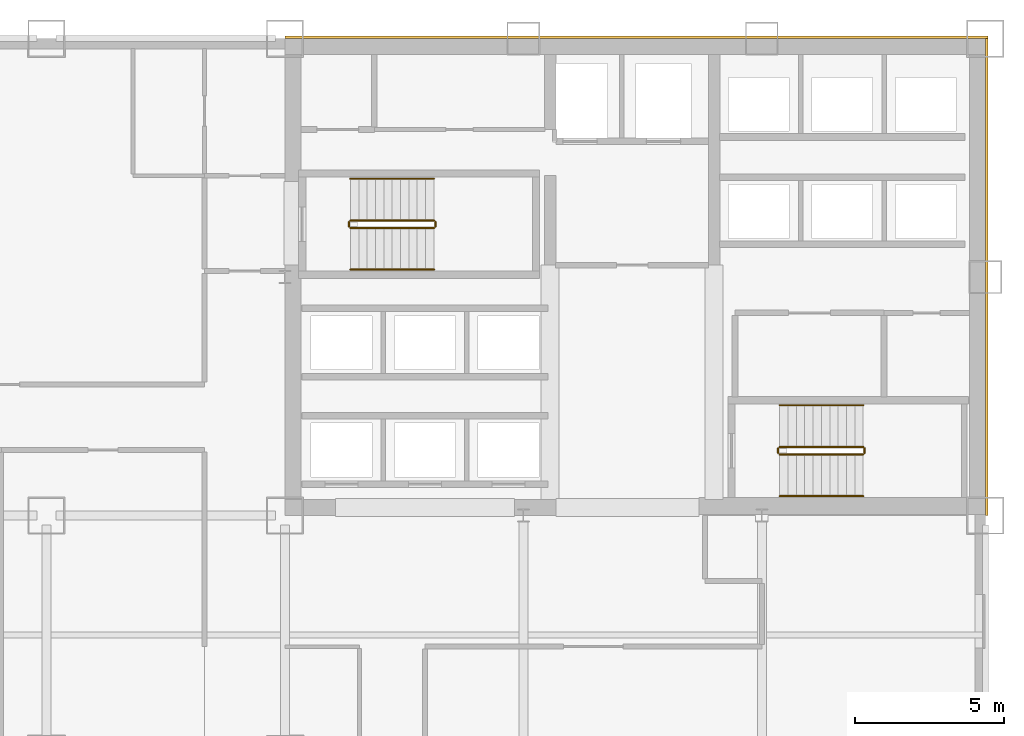
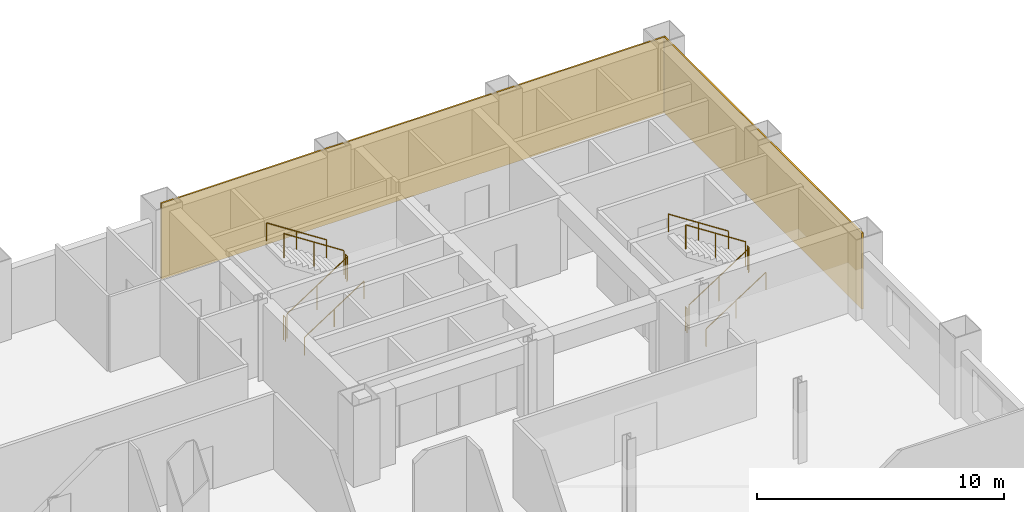
# One storey, part 9 of 9: 12 railings, 2 coverings.
"""IFC4 building model written with IfcOpenShell, lengths in metres."""

from ifc_helpers import new_model, si_unit, direction, frame, origin, origin_2d, place, context, subcontext, project, spatial, rectangle, circle, extrude, material, layer, layer_set, type_object, element, save


model = new_model("IFC4")

# Units and contexts
model_context = context("Model", 3, precision=1e-05, world=origin(), true_north=direction((0.0, 1.0)))
body_context = subcontext(model_context, "Body", "Model", "MODEL_VIEW")
ifc_project = project(units=[si_unit("LENGTHUNIT", "METRE"), si_unit("AREAUNIT", "SQUARE_METRE"), si_unit("VOLUMEUNIT", "CUBIC_METRE"), si_unit("PLANEANGLEUNIT", "RADIAN"), si_unit("MASSUNIT", "GRAM", prefix="KILO")], contexts=[model_context])

# Site, building, storey
site_placement = place(None, origin())
site = spatial("IfcSite", under=ifc_project, at=site_placement, CompositionType="ELEMENT")
building_placement = place(site_placement, origin())
building = spatial("IfcBuilding", under=site, at=building_placement, Name="Qianrong Seaharbour Tower", CompositionType="ELEMENT")
storey_placement = place(building_placement, frame((0.0, 0.0, 64.199951171875)))
storey = spatial("IfcBuildingStorey", under=building, at=storey_placement, Name="L15", CompositionType="ELEMENT", Elevation=64.199951171875)

# Coverings
ifc_material_1 = material(Name="Unitised red brick cladding on Precast concrete C45/55", Category="masonry")
ifc_layer = layer(ifc_material_1, 0.080078125)
ifc_layer_set = layer_set([ifc_layer], Name="Unitised red brick cladding on Precast concrete C45/55")
covering_type = type_object("IfcCoveringType", Name="COV-CLAD-RED-BRICK-80", PredefinedType="CLADDING", material=ifc_layer_set)
covering_1_placement = place(storey_placement, frame((52.2900390625, 52.0400390625, 0.0), z_axis=(0.0, 0.0, 1.0), x_axis=(1.0, 0.0, 0.0)))
element("IfcCovering", 1, at=covering_1_placement, inside=storey, type_object=covering_type, Name="L15 North Core Brick Veneer Cladding", PredefinedType="CLADDING", context=body_context, shape_type="SweptSolid", body=[
    extrude(rectangle(XDim=23.580078125, YDim=0.080078125, at=origin_2d()), origin(), (0.0, 0.0, 1.0), 3.75),
])
covering_2_placement = place(storey_placement, frame((64.0400390625, 44.0, 0.0), z_axis=(0.0, 0.0, 1.0), x_axis=(1.0, 0.0, 0.0)))
element("IfcCovering", 2, at=covering_2_placement, inside=storey, type_object=covering_type, Name="L15 East Core Brick Veneer Cladding", PredefinedType="CLADDING", context=body_context, shape_type="SweptSolid", body=[
    extrude(rectangle(XDim=0.080078125, YDim=16.0, at=origin_2d()), origin(), (0.0, 0.0, 1.0), 3.75),
])

# Railings
ifc_material_2 = material(Name="Galvanized painted steel SN400B stair guard", Category="steel")
railing_type_1 = type_object("IfcRailingType", Name="RAIL-STAIR-GUARD-1220", PredefinedType="GUARDRAIL", material=ifc_material_2)
railing_1_placement = place(storey_placement, frame((42.699951171875, 45.64990234375, 0.181884765625)))
element("IfcRailing", 3, at=railing_1_placement, inside=storey, type_object=railing_type_1, Name="L15 ST-1 stair guard 1", PredefinedType="GUARDRAIL", context=body_context, shape_type="SweptSolid", body=[
    extrude(circle(Radius=0.02392578125, at=origin_2d()), frame((0.0, 0.0, 1.19580078125), z_axis=(0.838705829183, 0.0, 0.544584733623), x_axis=(0.0, 1.0, 0.0)), (0.0, 0.0, 1.0), 3.338623046875),
    extrude(circle(Radius=0.02099609375, at=origin_2d()), origin(), (0.0, 0.0, 1.0), 1.171875),
    extrude(circle(Radius=0.02099609375, at=origin_2d()), frame((1.39990234375, 0.0, 0.9091796875)), (0.0, 0.0, 1.0), 1.171875),
    extrude(circle(Radius=0.02099609375, at=origin_2d()), frame((2.800048828125, 0.0, 1.818115234375)), (0.0, 0.0, 1.0), 1.171875),
])
railing_2_placement = place(storey_placement, frame((45.550048828125, 45.699951171875, 2.0)))
element("IfcRailing", 4, at=railing_2_placement, inside=storey, type_object=railing_type_1, Name="L15 ST-1 stair guard 2", PredefinedType="GUARDRAIL", context=body_context, shape_type="SweptSolid", body=[
    extrude(circle(Radius=0.02392578125, at=origin_2d()), frame((0.0, 0.0, 1.19580078125), z_axis=(0.0, 1.0, 0.0), x_axis=(-1.0, 0.0, 0.0)), (0.0, 0.0, 1.0), 0.150146484375),
    extrude(circle(Radius=0.02099609375, at=origin_2d()), origin(), (0.0, 0.0, 1.0), 1.171875),
    extrude(circle(Radius=0.02099609375, at=origin_2d()), frame((0.0, 0.150146484375, 0.0)), (0.0, 0.0, 1.0), 1.171875),
])
railing_3_placement = place(storey_placement, frame((45.5, 45.89990234375, 2.181884765625)))
element("IfcRailing", 5, at=railing_3_placement, inside=storey, type_object=railing_type_1, Name="L15 ST-1 stair guard 3", PredefinedType="GUARDRAIL", context=body_context, shape_type="SweptSolid", body=[
    extrude(circle(Radius=0.02392578125, at=origin_2d()), frame((0.0, 0.0, 1.19580078125), z_axis=(-0.838705829183, 0.0, 0.544584733623), x_axis=(0.0, -1.0, 0.0)), (0.0, 0.0, 1.0), 3.338623046875),
    extrude(circle(Radius=0.02099609375, at=origin_2d()), origin(), (0.0, 0.0, 1.0), 1.171875),
    extrude(circle(Radius=0.02099609375, at=origin_2d()), frame((-1.39990234375, 0.0, 0.9091796875)), (0.0, 0.0, 1.0), 1.171875),
    extrude(circle(Radius=0.02099609375, at=origin_2d()), frame((-2.800048828125, 0.0, 1.818115234375)), (0.0, 0.0, 1.0), 1.171875),
])
railing_4_placement = place(storey_placement, frame((42.64990234375, 45.699951171875, 0.0)))
element("IfcRailing", 6, at=railing_4_placement, inside=storey, type_object=railing_type_1, Name="L15 ST-1 stair guard 4", PredefinedType="GUARDRAIL", context=body_context, shape_type="SweptSolid", body=[
    extrude(circle(Radius=0.02392578125, at=origin_2d()), frame((0.0, 0.0, 1.19580078125), z_axis=(0.0, 1.0, 0.0), x_axis=(-1.0, 0.0, 0.0)), (0.0, 0.0, 1.0), 0.150146484375),
    extrude(circle(Radius=0.02099609375, at=origin_2d()), origin(), (0.0, 0.0, 1.0), 1.171875),
    extrude(circle(Radius=0.02099609375, at=origin_2d()), frame((0.0, 0.150146484375, 0.0)), (0.0, 0.0, 1.0), 1.171875),
])
railing_5_placement = place(storey_placement, frame((57.10009765625, 38.050048828125, 0.181884765625)))
element("IfcRailing", 7, at=railing_5_placement, inside=storey, type_object=railing_type_1, Name="L15 ST-2 stair guard 1", PredefinedType="GUARDRAIL", context=body_context, shape_type="SweptSolid", body=[
    extrude(circle(Radius=0.02392578125, at=origin_2d()), frame((0.0, 0.0, 1.19580078125), z_axis=(0.83868413941, 0.0, 0.544618136222), x_axis=(0.0, 1.0, 0.0)), (0.0, 0.0, 1.0), 3.33837890625),
    extrude(circle(Radius=0.02099609375, at=origin_2d()), origin(), (0.0, 0.0, 1.0), 1.171875),
    extrude(circle(Radius=0.02099609375, at=origin_2d()), frame((1.39990234375, 0.0, 0.9091796875)), (0.0, 0.0, 1.0), 1.171875),
    extrude(circle(Radius=0.02099609375, at=origin_2d()), frame((2.7998046875, 0.0, 1.818115234375)), (0.0, 0.0, 1.0), 1.171875),
])
railing_6_placement = place(storey_placement, frame((59.949951171875, 38.10009765625, 2.0)))
element("IfcRailing", 8, at=railing_6_placement, inside=storey, type_object=railing_type_1, Name="L15 ST-2 stair guard 2", PredefinedType="GUARDRAIL", context=body_context, shape_type="SweptSolid", body=[
    extrude(circle(Radius=0.02392578125, at=origin_2d()), frame((0.0, 0.0, 1.19580078125), z_axis=(0.0, 1.0, 0.0), x_axis=(-1.0, 0.0, 0.0)), (0.0, 0.0, 1.0), 0.14990234375),
    extrude(circle(Radius=0.02099609375, at=origin_2d()), origin(), (0.0, 0.0, 1.0), 1.171875),
    extrude(circle(Radius=0.02099609375, at=origin_2d()), frame((0.0, 0.14990234375, 0.0)), (0.0, 0.0, 1.0), 1.171875),
])
railing_7_placement = place(storey_placement, frame((59.89990234375, 38.300048828125, 2.181884765625)))
element("IfcRailing", 9, at=railing_7_placement, inside=storey, type_object=railing_type_1, Name="L15 ST-2 stair guard 3", PredefinedType="GUARDRAIL", context=body_context, shape_type="SweptSolid", body=[
    extrude(circle(Radius=0.02392578125, at=origin_2d()), frame((0.0, 0.0, 1.19580078125), z_axis=(-0.83868413941, 0.0, 0.544618136222), x_axis=(0.0, -1.0, 0.0)), (0.0, 0.0, 1.0), 3.33837890625),
    extrude(circle(Radius=0.02099609375, at=origin_2d()), origin(), (0.0, 0.0, 1.0), 1.171875),
    extrude(circle(Radius=0.02099609375, at=origin_2d()), frame((-1.39990234375, 0.0, 0.9091796875)), (0.0, 0.0, 1.0), 1.171875),
    extrude(circle(Radius=0.02099609375, at=origin_2d()), frame((-2.7998046875, 0.0, 1.818115234375)), (0.0, 0.0, 1.0), 1.171875),
])
railing_8_placement = place(storey_placement, frame((57.050048828125, 38.10009765625, 0.0)))
element("IfcRailing", 10, at=railing_8_placement, inside=storey, type_object=railing_type_1, Name="L15 ST-2 stair guard 4", PredefinedType="GUARDRAIL", context=body_context, shape_type="SweptSolid", body=[
    extrude(circle(Radius=0.02392578125, at=origin_2d()), frame((0.0, 0.0, 1.19580078125), z_axis=(0.0, 1.0, 0.0), x_axis=(-1.0, 0.0, 0.0)), (0.0, 0.0, 1.0), 0.14990234375),
    extrude(circle(Radius=0.02099609375, at=origin_2d()), origin(), (0.0, 0.0, 1.0), 1.171875),
    extrude(circle(Radius=0.02099609375, at=origin_2d()), frame((0.0, 0.14990234375, 0.0)), (0.0, 0.0, 1.0), 1.171875),
])
ifc_material_3 = material(Name="Stainless steel SUS316L continuous handrail", Category="steel")
railing_type_2 = type_object("IfcRailingType", Name="RAIL-STAIR-HANDRAIL-900", PredefinedType="HANDRAIL", material=ifc_material_3)
railing_9_placement = place(storey_placement, frame((42.699951171875, 44.25, 0.181884765625)))
element("IfcRailing", 11, at=railing_9_placement, inside=storey, type_object=railing_type_2, Name="L15 ST-1 stair handrail 1", PredefinedType="HANDRAIL", context=body_context, shape_type="SweptSolid", body=[
    extrude(circle(Radius=0.02392578125, at=origin_2d()), frame((0.0, 0.0, 0.8759765625), z_axis=(0.838705829183, 0.0, 0.544584733623), x_axis=(0.0, 1.0, 0.0)), (0.0, 0.0, 1.0), 3.338623046875),
    extrude(circle(Radius=0.02099609375, at=origin_2d()), origin(), (0.0, 0.0, 1.0), 0.851806640625),
    extrude(circle(Radius=0.02099609375, at=origin_2d()), frame((1.39990234375, 0.0, 0.9091796875)), (0.0, 0.0, 1.0), 0.851806640625),
    extrude(circle(Radius=0.02099609375, at=origin_2d()), frame((2.800048828125, 0.0, 1.818115234375)), (0.0, 0.0, 1.0), 0.851806640625),
])
railing_10_placement = place(storey_placement, frame((45.5, 47.300048828125, 2.181884765625)))
element("IfcRailing", 12, at=railing_10_placement, inside=storey, type_object=railing_type_2, Name="L15 ST-1 stair handrail 2", PredefinedType="HANDRAIL", context=body_context, shape_type="SweptSolid", body=[
    extrude(circle(Radius=0.02392578125, at=origin_2d()), frame((0.0, 0.0, 0.8759765625), z_axis=(-0.838705829183, 0.0, 0.544584733623), x_axis=(0.0, -1.0, 0.0)), (0.0, 0.0, 1.0), 3.338623046875),
    extrude(circle(Radius=0.02099609375, at=origin_2d()), origin(), (0.0, 0.0, 1.0), 0.851806640625),
    extrude(circle(Radius=0.02099609375, at=origin_2d()), frame((-1.39990234375, 0.0, 0.9091796875)), (0.0, 0.0, 1.0), 0.851806640625),
    extrude(circle(Radius=0.02099609375, at=origin_2d()), frame((-2.800048828125, 0.0, 1.818115234375)), (0.0, 0.0, 1.0), 0.851806640625),
])
railing_11_placement = place(storey_placement, frame((57.10009765625, 36.64990234375, 0.181884765625)))
element("IfcRailing", 13, at=railing_11_placement, inside=storey, type_object=railing_type_2, Name="L15 ST-2 stair handrail 1", PredefinedType="HANDRAIL", context=body_context, shape_type="SweptSolid", body=[
    extrude(circle(Radius=0.02392578125, at=origin_2d()), frame((0.0, 0.0, 0.8759765625), z_axis=(0.83868413941, 0.0, 0.544618136222), x_axis=(0.0, 1.0, 0.0)), (0.0, 0.0, 1.0), 3.33837890625),
    extrude(circle(Radius=0.02099609375, at=origin_2d()), origin(), (0.0, 0.0, 1.0), 0.851806640625),
    extrude(circle(Radius=0.02099609375, at=origin_2d()), frame((1.39990234375, 0.0, 0.9091796875)), (0.0, 0.0, 1.0), 0.851806640625),
    extrude(circle(Radius=0.02099609375, at=origin_2d()), frame((2.7998046875, 0.0, 1.818115234375)), (0.0, 0.0, 1.0), 0.851806640625),
])
railing_12_placement = place(storey_placement, frame((59.89990234375, 39.699951171875, 2.181884765625)))
element("IfcRailing", 14, at=railing_12_placement, inside=storey, type_object=railing_type_2, Name="L15 ST-2 stair handrail 2", PredefinedType="HANDRAIL", context=body_context, shape_type="SweptSolid", body=[
    extrude(circle(Radius=0.02392578125, at=origin_2d()), frame((0.0, 0.0, 0.8759765625), z_axis=(-0.83868413941, 0.0, 0.544618136222), x_axis=(0.0, -1.0, 0.0)), (0.0, 0.0, 1.0), 3.33837890625),
    extrude(circle(Radius=0.02099609375, at=origin_2d()), origin(), (0.0, 0.0, 1.0), 0.851806640625),
    extrude(circle(Radius=0.02099609375, at=origin_2d()), frame((-1.39990234375, 0.0, 0.9091796875)), (0.0, 0.0, 1.0), 0.851806640625),
    extrude(circle(Radius=0.02099609375, at=origin_2d()), frame((-2.7998046875, 0.0, 1.818115234375)), (0.0, 0.0, 1.0), 0.851806640625),
])

save(model, "model.ifc")
